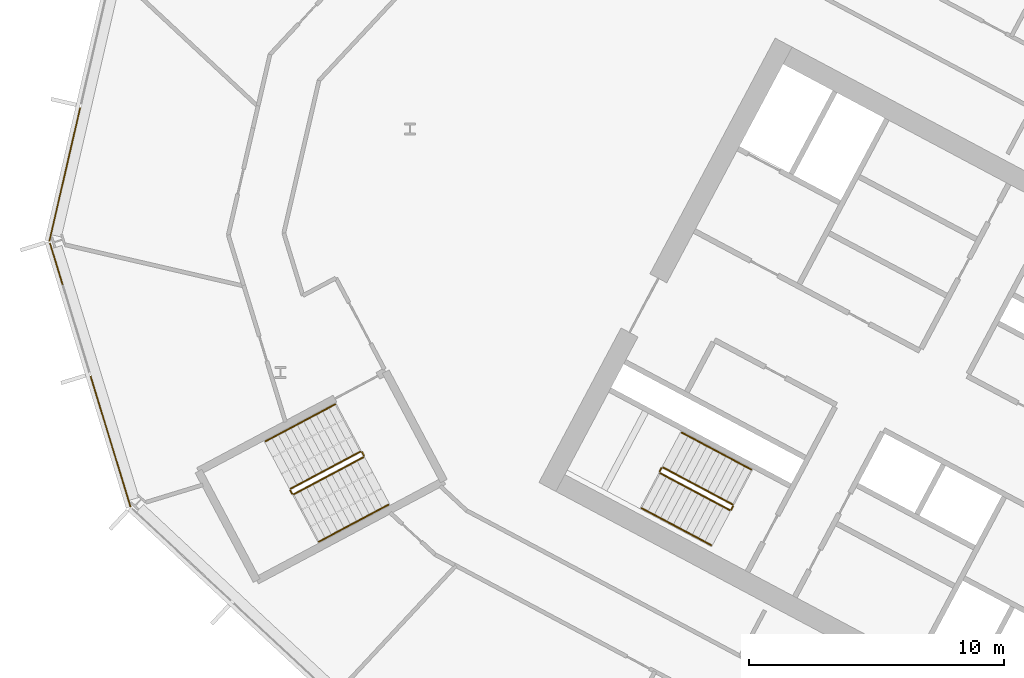
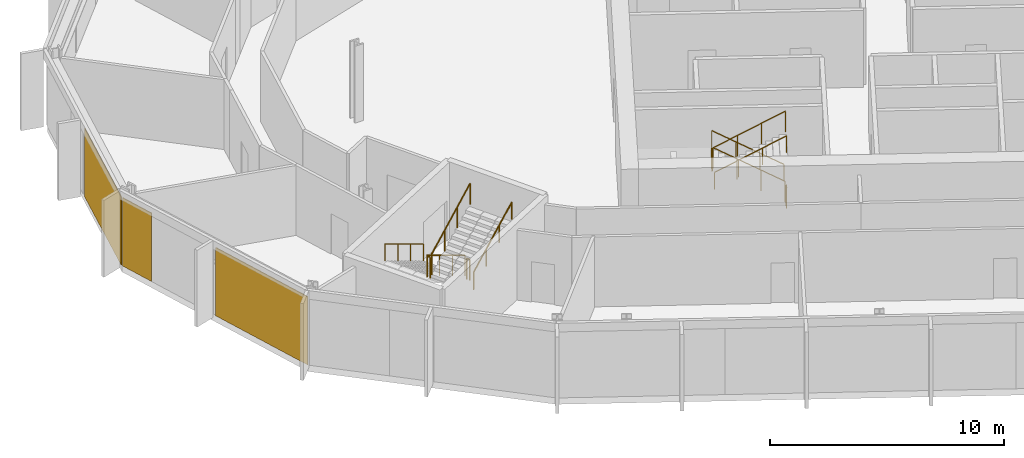
# One storey, part 21 of 28: 12 railings, 3 coverings, 2 elements without a shape of their own.
"""IFC4 building model written with IfcOpenShell, lengths in metres."""

from ifc_helpers import new_model, si_unit, direction, frame, origin, origin_2d, place, context, subcontext, project, spatial, polyline, rectangle, outline, extrude, material, layer, layer_set, type_object, element, aggregate, save


model = new_model("IFC4")

# Units and contexts
model_context = context("Model", 3, precision=1e-05, world=origin(), true_north=direction((0.0, 1.0)))
body_context = subcontext(model_context, "Body", "Model", "MODEL_VIEW")
ifc_project = project(units=[si_unit("LENGTHUNIT", "METRE"), si_unit("AREAUNIT", "SQUARE_METRE"), si_unit("VOLUMEUNIT", "CUBIC_METRE"), si_unit("PLANEANGLEUNIT", "RADIAN"), si_unit("MASSUNIT", "GRAM", prefix="KILO")], contexts=[model_context])

# Site, building, storey
site_placement = place(None, origin())
site = spatial("IfcSite", under=ifc_project, at=site_placement, CompositionType="ELEMENT")
building_placement = place(site_placement, origin())
building = spatial("IfcBuilding", under=site, at=building_placement, Name="Cormorant Relay Tower", CompositionType="ELEMENT")
storey_placement = place(building_placement, frame((0.0, 0.0, 130.199951171875)))
storey = spatial("IfcBuildingStorey", under=building, at=storey_placement, Name="L26", CompositionType="ELEMENT", Elevation=130.199951171875)

# Curtain wall, covering
ifc_material_1 = material(Name="Aluminium 6063-T6 anodised bronze", Category="aluminium")
ifc_layer_1 = layer(ifc_material_1, 0.199951171875)
ifc_layer_set_1 = layer_set([ifc_layer_1], Name="CW1 unitised bronze curtain wall with vertical fins")
curtain_wall_type = type_object("IfcCurtainWallType", Name="CW1 unitised bronze curtain wall with vertical fins", PredefinedType="NOTDEFINED", material=ifc_layer_set_1)
curtain_wall_1_placement = place(storey_placement, origin())
curtain_wall_1 = element("IfcCurtainWall", 1, at=curtain_wall_1_placement, inside=storey, type_object=curtain_wall_type, Name="CW1 curtain wall 13", PredefinedType="NOTDEFINED")
ifc_material_2 = material(Name="Pale bronze anodised aluminium insulated panel", Category="aluminium")
ifc_layer_2 = layer(ifc_material_2, 0.0400390625)
ifc_layer_set_2 = layer_set([ifc_layer_2], Name="CW1 pale bronze insulated panel 40")
covering_type = type_object("IfcCoveringType", Name="CW1 pale bronze insulated panel 40", PredefinedType="CLADDING", material=ifc_layer_set_2)
covering_1_placement = place(storey_placement, frame((-60.136474609375, 23.00927734375, 0.0), z_axis=(0.0, 0.0, 1.0), x_axis=(-0.224951054344, -0.974370064785, 0.0)))
covering_1 = element("IfcCovering", 2, at=covering_1_placement, type_object=covering_type, Name="CW1 panel S02", PredefinedType="CLADDING", context=body_context, shape_type="SweptSolid", body=[
    extrude(rectangle(XDim=5.360107421875, YDim=0.0400390625, at=origin_2d()), origin(), (0.0, 0.0, 1.0), 3.550048828125),
])
aggregate(curtain_wall_1, [covering_1])

# Curtain wall, coverings
curtain_wall_2_placement = place(storey_placement, origin())
curtain_wall_2 = element("IfcCurtainWall", 3, at=curtain_wall_2_placement, inside=storey, type_object=curtain_wall_type, Name="CW1 curtain wall 14", PredefinedType="NOTDEFINED")
covering_2_placement = place(storey_placement, frame((-60.470703125, 19.510009765625, 0.0), z_axis=(0.0, 0.0, 1.0), x_axis=(0.292371704723, -0.956304755963, 0.0)))
covering_2 = element("IfcCovering", 4, at=covering_2_placement, type_object=covering_type, Name="CW1 panel S00", PredefinedType="CLADDING", context=body_context, shape_type="SweptSolid", body=[
    extrude(rectangle(XDim=1.685302734375, YDim=0.0400390625, at=origin_2d()), origin(), (0.0, 0.0, 1.0), 3.550048828125),
])
covering_3_placement = place(storey_placement, frame((-58.344482421875, 12.55517578125, 0.0), z_axis=(0.0, 0.0, 1.0), x_axis=(0.292371704723, -0.956304755963, 0.0)))
covering_3 = element("IfcCovering", 5, at=covering_3_placement, type_object=covering_type, Name="CW1 panel S02", PredefinedType="CLADDING", context=body_context, shape_type="SweptSolid", body=[
    extrude(rectangle(XDim=5.360107421875, YDim=0.0400390625, at=origin_2d()), origin(), (0.0, 0.0, 1.0), 3.550048828125),
])
aggregate(curtain_wall_2, [covering_2, covering_3])

# Railings
ifc_material_3 = material(Name="Steel ASTM A572 Grade 50 (Fy 345 MPa)", Category="steel")
railing_type_1 = type_object("IfcRailingType", Name="Stair guard 1100", PredefinedType="GUARDRAIL", material=ifc_material_3)
railing_1_placement = place(storey_placement, frame((-33.9921875, 10.08935546875, 0.166748046875)))
element("IfcRailing", 6, at=railing_1_placement, inside=storey, type_object=railing_type_1, Name="L26 A2 stair guard 1", PredefinedType="GUARDRAIL", context=body_context, shape_type="SweptSolid", body=[
    extrude(outline(polyline([(0.022216796875, 0.00927734375), (0.00927734375, 0.022216796875), (-0.00927734375, 0.022216796875), (-0.022216796875, 0.00927734375), (-0.022216796875, -0.00927734375), (-0.00927734375, -0.022216796875), (0.00927734375, -0.022216796875), (0.022216796875, -0.00927734375), (0.022216796875, 0.00927734375)])), frame((0.0, 0.0, 1.076171875), z_axis=(-0.758713656843, 0.403434867536, 0.511462505542), x_axis=(-0.469489399267, -0.882938108802, 0.0)), (0.0, 0.0, 1.0), 3.584228515625),
    extrude(outline(polyline([(0.019287109375, 0.008056640625), (0.008056640625, 0.019287109375), (-0.008056640625, 0.019287109375), (-0.019287109375, 0.008056640625), (-0.019287109375, -0.008056640625), (-0.008056640625, -0.019287109375), (0.008056640625, -0.019287109375), (0.019287109375, -0.008056640625), (0.019287109375, 0.008056640625)])), origin(), (0.0, 0.0, 1.0), 1.052001953125),
    extrude(outline(polyline([(0.019287109375, 0.008056640625), (0.008056640625, 0.019287109375), (-0.008056640625, 0.019287109375), (-0.019287109375, 0.008056640625), (-0.019287109375, -0.008056640625), (-0.008056640625, -0.019287109375), (0.008056640625, -0.019287109375), (0.019287109375, -0.008056640625), (0.019287109375, 0.008056640625)])), frame((-0.906494140625, 0.48193359375, 0.611083984375)), (0.0, 0.0, 1.0), 1.052001953125),
    extrude(outline(polyline([(0.019287109375, 0.008056640625), (0.008056640625, 0.019287109375), (-0.008056640625, 0.019287109375), (-0.019287109375, 0.008056640625), (-0.019287109375, -0.008056640625), (-0.008056640625, -0.019287109375), (0.008056640625, -0.019287109375), (0.019287109375, -0.008056640625), (0.019287109375, 0.008056640625)])), frame((-1.81298828125, 0.964111328125, 1.22216796875)), (0.0, 0.0, 1.0), 1.052001953125),
    extrude(outline(polyline([(0.019287109375, 0.008056640625), (0.008056640625, 0.019287109375), (-0.008056640625, 0.019287109375), (-0.019287109375, 0.008056640625), (-0.019287109375, -0.008056640625), (-0.008056640625, -0.019287109375), (0.008056640625, -0.019287109375), (0.019287109375, -0.008056640625), (0.019287109375, 0.008056640625)])), frame((-2.719482421875, 1.446044921875, 1.833251953125)), (0.0, 0.0, 1.0), 1.052001953125),
])
railing_2_placement = place(storey_placement, frame((-36.779296875, 11.5146484375, 2.0)))
element("IfcRailing", 7, at=railing_2_placement, inside=storey, type_object=railing_type_1, Name="L26 A2 stair guard 2", PredefinedType="GUARDRAIL", context=body_context, shape_type="SweptSolid", body=[
    extrude(outline(polyline([(0.022216796875, 0.00927734375), (0.00927734375, 0.022216796875), (-0.00927734375, 0.022216796875), (-0.022216796875, 0.00927734375), (-0.022216796875, -0.00927734375), (-0.00927734375, -0.022216796875), (0.00927734375, -0.022216796875), (0.022216796875, -0.00927734375), (0.022216796875, 0.00927734375)])), frame((0.0, 0.0, 1.076171875), z_axis=(-0.469234640946, -0.883073525669, 0.0), x_axis=(0.883073525669, -0.469234640946, 0.0)), (0.0, 0.0, 1.0), 0.14990234375),
    extrude(outline(polyline([(0.019287109375, 0.008056640625), (0.008056640625, 0.019287109375), (-0.008056640625, 0.019287109375), (-0.019287109375, 0.008056640625), (-0.019287109375, -0.008056640625), (-0.008056640625, -0.019287109375), (0.008056640625, -0.019287109375), (0.019287109375, -0.008056640625), (0.019287109375, 0.008056640625)])), origin(), (0.0, 0.0, 1.0), 1.052001953125),
    extrude(outline(polyline([(0.019287109375, 0.008056640625), (0.008056640625, 0.019287109375), (-0.008056640625, 0.019287109375), (-0.019287109375, 0.008056640625), (-0.019287109375, -0.008056640625), (-0.008056640625, -0.019287109375), (0.008056640625, -0.019287109375), (0.019287109375, -0.008056640625), (0.019287109375, 0.008056640625)])), frame((-0.0703125, -0.13232421875, 0.0)), (0.0, 0.0, 1.0), 1.052001953125),
])
railing_3_placement = place(storey_placement, frame((-36.8291015625, 11.314697265625, 2.166748046875)))
element("IfcRailing", 8, at=railing_3_placement, inside=storey, type_object=railing_type_1, Name="L26 A2 stair guard 3", PredefinedType="GUARDRAIL", context=body_context, shape_type="SweptSolid", body=[
    extrude(outline(polyline([(0.022216796875, 0.00927734375), (0.00927734375, 0.022216796875), (-0.00927734375, 0.022216796875), (-0.022216796875, 0.00927734375), (-0.022216796875, -0.00927734375), (-0.00927734375, -0.022216796875), (0.00927734375, -0.022216796875), (0.022216796875, -0.00927734375), (0.022216796875, 0.00927734375)])), frame((0.0, 0.0, 1.076171875), z_axis=(0.758713656843, -0.403434867536, 0.511462505542), x_axis=(0.469489399267, 0.882938108802, 0.0)), (0.0, 0.0, 1.0), 3.584228515625),
    extrude(outline(polyline([(0.019287109375, 0.008056640625), (0.008056640625, 0.019287109375), (-0.008056640625, 0.019287109375), (-0.019287109375, 0.008056640625), (-0.019287109375, -0.008056640625), (-0.008056640625, -0.019287109375), (0.008056640625, -0.019287109375), (0.019287109375, -0.008056640625), (0.019287109375, 0.008056640625)])), origin(), (0.0, 0.0, 1.0), 1.052001953125),
    extrude(outline(polyline([(0.019287109375, 0.008056640625), (0.008056640625, 0.019287109375), (-0.008056640625, 0.019287109375), (-0.019287109375, 0.008056640625), (-0.019287109375, -0.008056640625), (-0.008056640625, -0.019287109375), (0.008056640625, -0.019287109375), (0.019287109375, -0.008056640625), (0.019287109375, 0.008056640625)])), frame((0.906494140625, -0.48193359375, 0.611083984375)), (0.0, 0.0, 1.0), 1.052001953125),
    extrude(outline(polyline([(0.019287109375, 0.008056640625), (0.008056640625, 0.019287109375), (-0.008056640625, 0.019287109375), (-0.019287109375, 0.008056640625), (-0.019287109375, -0.008056640625), (-0.008056640625, -0.019287109375), (0.008056640625, -0.019287109375), (0.019287109375, -0.008056640625), (0.019287109375, 0.008056640625)])), frame((1.81298828125, -0.964111328125, 1.22216796875)), (0.0, 0.0, 1.0), 1.052001953125),
    extrude(outline(polyline([(0.019287109375, 0.008056640625), (0.008056640625, 0.019287109375), (-0.008056640625, 0.019287109375), (-0.019287109375, 0.008056640625), (-0.019287109375, -0.008056640625), (-0.008056640625, -0.019287109375), (0.008056640625, -0.019287109375), (0.019287109375, -0.008056640625), (0.019287109375, 0.008056640625)])), frame((2.719482421875, -1.446044921875, 1.833251953125)), (0.0, 0.0, 1.0), 1.052001953125),
])
railing_4_placement = place(storey_placement, frame((-33.971435546875, 10.021728515625, 0.0)))
element("IfcRailing", 9, at=railing_4_placement, inside=storey, type_object=railing_type_1, Name="L26 A2 stair guard 4", PredefinedType="GUARDRAIL", context=body_context, shape_type="SweptSolid", body=[
    extrude(outline(polyline([(0.022216796875, 0.00927734375), (0.00927734375, 0.022216796875), (-0.00927734375, 0.022216796875), (-0.022216796875, 0.00927734375), (-0.022216796875, -0.00927734375), (-0.00927734375, -0.022216796875), (0.00927734375, -0.022216796875), (0.022216796875, -0.00927734375), (0.022216796875, 0.00927734375)])), frame((0.0, 0.0, 1.076171875), z_axis=(-0.470503732759, -0.882398003998, 0.0), x_axis=(0.882398003998, -0.470503732759, 0.0)), (0.0, 0.0, 1.0), 0.14990234375),
    extrude(outline(polyline([(0.019287109375, 0.008056640625), (0.008056640625, 0.019287109375), (-0.008056640625, 0.019287109375), (-0.019287109375, 0.008056640625), (-0.019287109375, -0.008056640625), (-0.008056640625, -0.019287109375), (0.008056640625, -0.019287109375), (0.019287109375, -0.008056640625), (0.019287109375, 0.008056640625)])), origin(), (0.0, 0.0, 1.0), 1.052001953125),
    extrude(outline(polyline([(0.019287109375, 0.008056640625), (0.008056640625, 0.019287109375), (-0.008056640625, 0.019287109375), (-0.019287109375, 0.008056640625), (-0.019287109375, -0.008056640625), (-0.008056640625, -0.019287109375), (0.008056640625, -0.019287109375), (0.019287109375, -0.008056640625), (0.019287109375, 0.008056640625)])), frame((-0.070556640625, -0.13232421875, 0.0)), (0.0, 0.0, 1.0), 1.052001953125),
])
railing_5_placement = place(storey_placement, frame((-48.5693359375, 12.155517578125, 0.166748046875)))
element("IfcRailing", 10, at=railing_5_placement, inside=storey, type_object=railing_type_1, Name="L26 RP1 stair guard 1", PredefinedType="GUARDRAIL", context=body_context, shape_type="SweptSolid", body=[
    extrude(outline(polyline([(0.022216796875, 0.00927734375), (0.00927734375, 0.022216796875), (-0.00927734375, 0.022216796875), (-0.022216796875, 0.00927734375), (-0.022216796875, -0.00927734375), (-0.00927734375, -0.022216796875), (0.00927734375, -0.022216796875), (0.022216796875, -0.00927734375), (0.022216796875, 0.00927734375)])), frame((0.0, 0.0, 1.076171875), z_axis=(-0.758713656843, -0.403434867536, 0.511462505542), x_axis=(0.469489399267, -0.882938108802, 0.0)), (0.0, 0.0, 1.0), 3.584228515625),
    extrude(outline(polyline([(0.019287109375, 0.008056640625), (0.008056640625, 0.019287109375), (-0.008056640625, 0.019287109375), (-0.019287109375, 0.008056640625), (-0.019287109375, -0.008056640625), (-0.008056640625, -0.019287109375), (0.008056640625, -0.019287109375), (0.019287109375, -0.008056640625), (0.019287109375, 0.008056640625)])), origin(), (0.0, 0.0, 1.0), 1.052001953125),
    extrude(outline(polyline([(0.019287109375, 0.008056640625), (0.008056640625, 0.019287109375), (-0.008056640625, 0.019287109375), (-0.019287109375, 0.008056640625), (-0.019287109375, -0.008056640625), (-0.008056640625, -0.019287109375), (0.008056640625, -0.019287109375), (0.019287109375, -0.008056640625), (0.019287109375, 0.008056640625)])), frame((-0.906494140625, -0.48193359375, 0.611083984375)), (0.0, 0.0, 1.0), 1.052001953125),
    extrude(outline(polyline([(0.019287109375, 0.008056640625), (0.008056640625, 0.019287109375), (-0.008056640625, 0.019287109375), (-0.019287109375, 0.008056640625), (-0.019287109375, -0.008056640625), (-0.008056640625, -0.019287109375), (0.008056640625, -0.019287109375), (0.019287109375, -0.008056640625), (0.019287109375, 0.008056640625)])), frame((-1.81298828125, -0.964111328125, 1.22216796875)), (0.0, 0.0, 1.0), 1.052001953125),
    extrude(outline(polyline([(0.019287109375, 0.008056640625), (0.008056640625, 0.019287109375), (-0.008056640625, 0.019287109375), (-0.019287109375, 0.008056640625), (-0.019287109375, -0.008056640625), (-0.008056640625, -0.019287109375), (0.008056640625, -0.019287109375), (0.019287109375, -0.008056640625), (0.019287109375, 0.008056640625)])), frame((-2.719482421875, -1.446044921875, 1.833251953125)), (0.0, 0.0, 1.0), 1.052001953125),
])
railing_6_placement = place(storey_placement, frame((-51.3095703125, 10.641845703125, 2.0)))
element("IfcRailing", 11, at=railing_6_placement, inside=storey, type_object=railing_type_1, Name="L26 RP1 stair guard 2", PredefinedType="GUARDRAIL", context=body_context, shape_type="SweptSolid", body=[
    extrude(outline(polyline([(0.022216796875, 0.00927734375), (0.00927734375, 0.022216796875), (-0.00927734375, 0.022216796875), (-0.022216796875, 0.00927734375), (-0.022216796875, -0.00927734375), (-0.00927734375, -0.022216796875), (0.00927734375, -0.022216796875), (0.022216796875, -0.00927734375), (0.022216796875, 0.00927734375)])), frame((0.0, 0.0, 1.076171875), z_axis=(0.469828648786, -0.882757634224, 0.0), x_axis=(0.882757634224, 0.469828648786, 0.0)), (0.0, 0.0, 1.0), 0.150146484375),
    extrude(outline(polyline([(0.019287109375, 0.008056640625), (0.008056640625, 0.019287109375), (-0.008056640625, 0.019287109375), (-0.019287109375, 0.008056640625), (-0.019287109375, -0.008056640625), (-0.008056640625, -0.019287109375), (0.008056640625, -0.019287109375), (0.019287109375, -0.008056640625), (0.019287109375, 0.008056640625)])), origin(), (0.0, 0.0, 1.0), 1.052001953125),
    extrude(outline(polyline([(0.019287109375, 0.008056640625), (0.008056640625, 0.019287109375), (-0.008056640625, 0.019287109375), (-0.019287109375, 0.008056640625), (-0.019287109375, -0.008056640625), (-0.008056640625, -0.019287109375), (0.008056640625, -0.019287109375), (0.019287109375, -0.008056640625), (0.019287109375, 0.008056640625)])), frame((0.070556640625, -0.132568359375, 0.0)), (0.0, 0.0, 1.0), 1.052001953125),
])
railing_7_placement = place(storey_placement, frame((-51.17138671875, 10.48876953125, 2.166748046875)))
element("IfcRailing", 12, at=railing_7_placement, inside=storey, type_object=railing_type_1, Name="L26 RP1 stair guard 3", PredefinedType="GUARDRAIL", context=body_context, shape_type="SweptSolid", body=[
    extrude(outline(polyline([(0.022216796875, 0.00927734375), (0.00927734375, 0.022216796875), (-0.00927734375, 0.022216796875), (-0.022216796875, 0.00927734375), (-0.022216796875, -0.00927734375), (-0.00927734375, -0.022216796875), (0.00927734375, -0.022216796875), (0.022216796875, -0.00927734375), (0.022216796875, 0.00927734375)])), frame((0.0, 0.0, 1.076171875), z_axis=(0.758734504837, 0.403377838015, 0.511476559549), x_axis=(-0.469427602063, 0.882970965786, 0.0)), (0.0, 0.0, 1.0), 3.584228515625),
    extrude(outline(polyline([(0.019287109375, 0.008056640625), (0.008056640625, 0.019287109375), (-0.008056640625, 0.019287109375), (-0.019287109375, 0.008056640625), (-0.019287109375, -0.008056640625), (-0.008056640625, -0.019287109375), (0.008056640625, -0.019287109375), (0.019287109375, -0.008056640625), (0.019287109375, 0.008056640625)])), origin(), (0.0, 0.0, 1.0), 1.052001953125),
    extrude(outline(polyline([(0.019287109375, 0.008056640625), (0.008056640625, 0.019287109375), (-0.008056640625, 0.019287109375), (-0.019287109375, 0.008056640625), (-0.019287109375, -0.008056640625), (-0.008056640625, -0.019287109375), (0.008056640625, -0.019287109375), (0.019287109375, -0.008056640625), (0.019287109375, 0.008056640625)])), frame((0.906494140625, 0.48193359375, 0.611083984375)), (0.0, 0.0, 1.0), 1.052001953125),
    extrude(outline(polyline([(0.019287109375, 0.008056640625), (0.008056640625, 0.019287109375), (-0.008056640625, 0.019287109375), (-0.019287109375, 0.008056640625), (-0.019287109375, -0.008056640625), (-0.008056640625, -0.019287109375), (0.008056640625, -0.019287109375), (0.019287109375, -0.008056640625), (0.019287109375, 0.008056640625)])), frame((1.81298828125, 0.9638671875, 1.22216796875)), (0.0, 0.0, 1.0), 1.052001953125),
    extrude(outline(polyline([(0.019287109375, 0.008056640625), (0.008056640625, 0.019287109375), (-0.008056640625, 0.019287109375), (-0.019287109375, 0.008056640625), (-0.019287109375, -0.008056640625), (-0.008056640625, -0.019287109375), (0.008056640625, -0.019287109375), (0.019287109375, -0.008056640625), (0.019287109375, 0.008056640625)])), frame((2.719482421875, 1.44580078125, 1.833251953125)), (0.0, 0.0, 1.0), 1.052001953125),
])
railing_8_placement = place(storey_placement, frame((-48.501708984375, 12.134765625, 0.0)))
element("IfcRailing", 13, at=railing_8_placement, inside=storey, type_object=railing_type_1, Name="L26 RP1 stair guard 4", PredefinedType="GUARDRAIL", context=body_context, shape_type="SweptSolid", body=[
    extrude(outline(polyline([(0.022216796875, 0.00927734375), (0.00927734375, 0.022216796875), (-0.00927734375, 0.022216796875), (-0.022216796875, 0.00927734375), (-0.022216796875, -0.00927734375), (-0.00927734375, -0.022216796875), (0.00927734375, -0.022216796875), (0.022216796875, -0.00927734375), (0.022216796875, 0.00927734375)])), frame((0.0, 0.0, 1.076171875), z_axis=(0.46856034887, -0.8834314911, 0.0), x_axis=(0.8834314911, 0.46856034887, 0.0)), (0.0, 0.0, 1.0), 0.150146484375),
    extrude(outline(polyline([(0.019287109375, 0.008056640625), (0.008056640625, 0.019287109375), (-0.008056640625, 0.019287109375), (-0.019287109375, 0.008056640625), (-0.019287109375, -0.008056640625), (-0.008056640625, -0.019287109375), (0.008056640625, -0.019287109375), (0.019287109375, -0.008056640625), (0.019287109375, 0.008056640625)])), origin(), (0.0, 0.0, 1.0), 1.052001953125),
    extrude(outline(polyline([(0.019287109375, 0.008056640625), (0.008056640625, 0.019287109375), (-0.008056640625, 0.019287109375), (-0.019287109375, 0.008056640625), (-0.019287109375, -0.008056640625), (-0.008056640625, -0.019287109375), (0.008056640625, -0.019287109375), (0.019287109375, -0.008056640625), (0.019287109375, 0.008056640625)])), frame((0.0703125, -0.132568359375, 0.0)), (0.0, 0.0, 1.0), 1.052001953125),
])
ifc_material_4 = material(Name="Steel ASTM A572 Grade 50 (Fy 345 MPa)", Category="steel")
railing_type_2 = type_object("IfcRailingType", Name="Stair handrail 900", PredefinedType="HANDRAIL", material=ifc_material_4)
railing_9_placement = place(storey_placement, frame((-33.264404296875, 11.4580078125, 0.166748046875)))
element("IfcRailing", 14, at=railing_9_placement, inside=storey, type_object=railing_type_2, Name="L26 A2 stair handrail 1", PredefinedType="HANDRAIL", context=body_context, shape_type="SweptSolid", body=[
    extrude(outline(polyline([(0.022216796875, 0.00927734375), (0.00927734375, 0.022216796875), (-0.00927734375, 0.022216796875), (-0.022216796875, 0.00927734375), (-0.022216796875, -0.00927734375), (-0.00927734375, -0.022216796875), (0.00927734375, -0.022216796875), (0.022216796875, -0.00927734375), (0.022216796875, 0.00927734375)])), frame((0.0, 0.0, 0.8759765625), z_axis=(-0.758734504837, 0.403377838015, 0.511476559549), x_axis=(-0.469427602063, -0.882970965786, 0.0)), (0.0, 0.0, 1.0), 3.584228515625),
    extrude(outline(polyline([(0.019287109375, 0.008056640625), (0.008056640625, 0.019287109375), (-0.008056640625, 0.019287109375), (-0.019287109375, 0.008056640625), (-0.019287109375, -0.008056640625), (-0.008056640625, -0.019287109375), (0.008056640625, -0.019287109375), (0.019287109375, -0.008056640625), (0.019287109375, 0.008056640625)])), origin(), (0.0, 0.0, 1.0), 0.851806640625),
    extrude(outline(polyline([(0.019287109375, 0.008056640625), (0.008056640625, 0.019287109375), (-0.008056640625, 0.019287109375), (-0.019287109375, 0.008056640625), (-0.019287109375, -0.008056640625), (-0.008056640625, -0.019287109375), (0.008056640625, -0.019287109375), (0.019287109375, -0.008056640625), (0.019287109375, 0.008056640625)])), frame((-0.906494140625, 0.48193359375, 0.611083984375)), (0.0, 0.0, 1.0), 0.851806640625),
    extrude(outline(polyline([(0.019287109375, 0.008056640625), (0.008056640625, 0.019287109375), (-0.008056640625, 0.019287109375), (-0.019287109375, 0.008056640625), (-0.019287109375, -0.008056640625), (-0.008056640625, -0.019287109375), (0.008056640625, -0.019287109375), (0.019287109375, -0.008056640625), (0.019287109375, 0.008056640625)])), frame((-1.81298828125, 0.9638671875, 1.22216796875)), (0.0, 0.0, 1.0), 0.851806640625),
    extrude(outline(polyline([(0.019287109375, 0.008056640625), (0.008056640625, 0.019287109375), (-0.008056640625, 0.019287109375), (-0.019287109375, 0.008056640625), (-0.019287109375, -0.008056640625), (-0.008056640625, -0.019287109375), (0.008056640625, -0.019287109375), (0.019287109375, -0.008056640625), (0.019287109375, 0.008056640625)])), frame((-2.719482421875, 1.44580078125, 1.833251953125)), (0.0, 0.0, 1.0), 0.851806640625),
])
railing_10_placement = place(storey_placement, frame((-37.556640625, 9.946044921875, 2.166748046875)))
element("IfcRailing", 15, at=railing_10_placement, inside=storey, type_object=railing_type_2, Name="L26 A2 stair handrail 2", PredefinedType="HANDRAIL", context=body_context, shape_type="SweptSolid", body=[
    extrude(outline(polyline([(0.022216796875, 0.00927734375), (0.00927734375, 0.022216796875), (-0.00927734375, 0.022216796875), (-0.022216796875, 0.00927734375), (-0.022216796875, -0.00927734375), (-0.00927734375, -0.022216796875), (0.00927734375, -0.022216796875), (0.022216796875, -0.00927734375), (0.022216796875, 0.00927734375)])), frame((0.0, 0.0, 0.8759765625), z_axis=(0.758713656843, -0.403434867536, 0.511462505542), x_axis=(0.469489399267, 0.882938108802, 0.0)), (0.0, 0.0, 1.0), 3.584228515625),
    extrude(outline(polyline([(0.019287109375, 0.008056640625), (0.008056640625, 0.019287109375), (-0.008056640625, 0.019287109375), (-0.019287109375, 0.008056640625), (-0.019287109375, -0.008056640625), (-0.008056640625, -0.019287109375), (0.008056640625, -0.019287109375), (0.019287109375, -0.008056640625), (0.019287109375, 0.008056640625)])), origin(), (0.0, 0.0, 1.0), 0.851806640625),
    extrude(outline(polyline([(0.019287109375, 0.008056640625), (0.008056640625, 0.019287109375), (-0.008056640625, 0.019287109375), (-0.019287109375, 0.008056640625), (-0.019287109375, -0.008056640625), (-0.008056640625, -0.019287109375), (0.008056640625, -0.019287109375), (0.019287109375, -0.008056640625), (0.019287109375, 0.008056640625)])), frame((0.906494140625, -0.48193359375, 0.611083984375)), (0.0, 0.0, 1.0), 0.851806640625),
    extrude(outline(polyline([(0.019287109375, 0.008056640625), (0.008056640625, 0.019287109375), (-0.008056640625, 0.019287109375), (-0.019287109375, 0.008056640625), (-0.019287109375, -0.008056640625), (-0.008056640625, -0.019287109375), (0.008056640625, -0.019287109375), (0.019287109375, -0.008056640625), (0.019287109375, 0.008056640625)])), frame((1.81298828125, -0.964111328125, 1.22216796875)), (0.0, 0.0, 1.0), 0.851806640625),
    extrude(outline(polyline([(0.019287109375, 0.008056640625), (0.008056640625, 0.019287109375), (-0.008056640625, 0.019287109375), (-0.019287109375, 0.008056640625), (-0.019287109375, -0.008056640625), (-0.008056640625, -0.019287109375), (0.008056640625, -0.019287109375), (0.019287109375, -0.008056640625), (0.019287109375, 0.008056640625)])), frame((2.719482421875, -1.446044921875, 1.833251953125)), (0.0, 0.0, 1.0), 0.851806640625),
])
railing_11_placement = place(storey_placement, frame((-49.55517578125, 14.009521484375, 0.166748046875)))
element("IfcRailing", 16, at=railing_11_placement, inside=storey, type_object=railing_type_2, Name="L26 RP1 stair handrail 1", PredefinedType="HANDRAIL", context=body_context, shape_type="SweptSolid", body=[
    extrude(outline(polyline([(0.022216796875, 0.00927734375), (0.00927734375, 0.022216796875), (-0.00927734375, 0.022216796875), (-0.022216796875, 0.00927734375), (-0.022216796875, -0.00927734375), (-0.00927734375, -0.022216796875), (0.00927734375, -0.022216796875), (0.022216796875, -0.00927734375), (0.022216796875, 0.00927734375)])), frame((0.0, 0.0, 0.8759765625), z_axis=(-0.758734504837, -0.403377838015, 0.511476559549), x_axis=(0.469427602063, -0.882970965786, 0.0)), (0.0, 0.0, 1.0), 3.584228515625),
    extrude(outline(polyline([(0.019287109375, 0.008056640625), (0.008056640625, 0.019287109375), (-0.008056640625, 0.019287109375), (-0.019287109375, 0.008056640625), (-0.019287109375, -0.008056640625), (-0.008056640625, -0.019287109375), (0.008056640625, -0.019287109375), (0.019287109375, -0.008056640625), (0.019287109375, 0.008056640625)])), origin(), (0.0, 0.0, 1.0), 0.851806640625),
    extrude(outline(polyline([(0.019287109375, 0.008056640625), (0.008056640625, 0.019287109375), (-0.008056640625, 0.019287109375), (-0.019287109375, 0.008056640625), (-0.019287109375, -0.008056640625), (-0.008056640625, -0.019287109375), (0.008056640625, -0.019287109375), (0.019287109375, -0.008056640625), (0.019287109375, 0.008056640625)])), frame((-0.906494140625, -0.48193359375, 0.611083984375)), (0.0, 0.0, 1.0), 0.851806640625),
    extrude(outline(polyline([(0.019287109375, 0.008056640625), (0.008056640625, 0.019287109375), (-0.008056640625, 0.019287109375), (-0.019287109375, 0.008056640625), (-0.019287109375, -0.008056640625), (-0.008056640625, -0.019287109375), (0.008056640625, -0.019287109375), (0.019287109375, -0.008056640625), (0.019287109375, 0.008056640625)])), frame((-1.81298828125, -0.9638671875, 1.22216796875)), (0.0, 0.0, 1.0), 0.851806640625),
    extrude(outline(polyline([(0.019287109375, 0.008056640625), (0.008056640625, 0.019287109375), (-0.008056640625, 0.019287109375), (-0.019287109375, 0.008056640625), (-0.019287109375, -0.008056640625), (-0.008056640625, -0.019287109375), (0.008056640625, -0.019287109375), (0.019287109375, -0.008056640625), (0.019287109375, 0.008056640625)])), frame((-2.719482421875, -1.44580078125, 1.833251953125)), (0.0, 0.0, 1.0), 0.851806640625),
])
railing_12_placement = place(storey_placement, frame((-50.185546875, 8.634521484375, 2.166748046875)))
element("IfcRailing", 17, at=railing_12_placement, inside=storey, type_object=railing_type_2, Name="L26 RP1 stair handrail 2", PredefinedType="HANDRAIL", context=body_context, shape_type="SweptSolid", body=[
    extrude(outline(polyline([(0.022216796875, 0.00927734375), (0.00927734375, 0.022216796875), (-0.00927734375, 0.022216796875), (-0.022216796875, 0.00927734375), (-0.022216796875, -0.00927734375), (-0.00927734375, -0.022216796875), (0.00927734375, -0.022216796875), (0.022216796875, -0.00927734375), (0.022216796875, 0.00927734375)])), frame((0.0, 0.0, 0.8759765625), z_axis=(0.758713656843, 0.403434867536, 0.511462505542), x_axis=(-0.469489399267, 0.882938108802, 0.0)), (0.0, 0.0, 1.0), 3.584228515625),
    extrude(outline(polyline([(0.019287109375, 0.008056640625), (0.008056640625, 0.019287109375), (-0.008056640625, 0.019287109375), (-0.019287109375, 0.008056640625), (-0.019287109375, -0.008056640625), (-0.008056640625, -0.019287109375), (0.008056640625, -0.019287109375), (0.019287109375, -0.008056640625), (0.019287109375, 0.008056640625)])), origin(), (0.0, 0.0, 1.0), 0.851806640625),
    extrude(outline(polyline([(0.019287109375, 0.008056640625), (0.008056640625, 0.019287109375), (-0.008056640625, 0.019287109375), (-0.019287109375, 0.008056640625), (-0.019287109375, -0.008056640625), (-0.008056640625, -0.019287109375), (0.008056640625, -0.019287109375), (0.019287109375, -0.008056640625), (0.019287109375, 0.008056640625)])), frame((0.906494140625, 0.48193359375, 0.611083984375)), (0.0, 0.0, 1.0), 0.851806640625),
    extrude(outline(polyline([(0.019287109375, 0.008056640625), (0.008056640625, 0.019287109375), (-0.008056640625, 0.019287109375), (-0.019287109375, 0.008056640625), (-0.019287109375, -0.008056640625), (-0.008056640625, -0.019287109375), (0.008056640625, -0.019287109375), (0.019287109375, -0.008056640625), (0.019287109375, 0.008056640625)])), frame((1.81298828125, 0.964111328125, 1.22216796875)), (0.0, 0.0, 1.0), 0.851806640625),
    extrude(outline(polyline([(0.019287109375, 0.008056640625), (0.008056640625, 0.019287109375), (-0.008056640625, 0.019287109375), (-0.019287109375, 0.008056640625), (-0.019287109375, -0.008056640625), (-0.008056640625, -0.019287109375), (0.008056640625, -0.019287109375), (0.019287109375, -0.008056640625), (0.019287109375, 0.008056640625)])), frame((2.719482421875, 1.446044921875, 1.833251953125)), (0.0, 0.0, 1.0), 0.851806640625),
])

save(model, "model.ifc")
